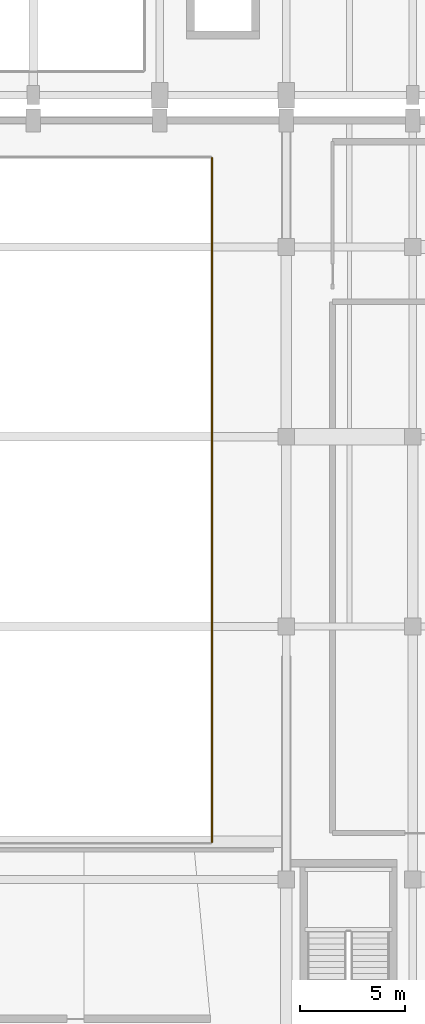
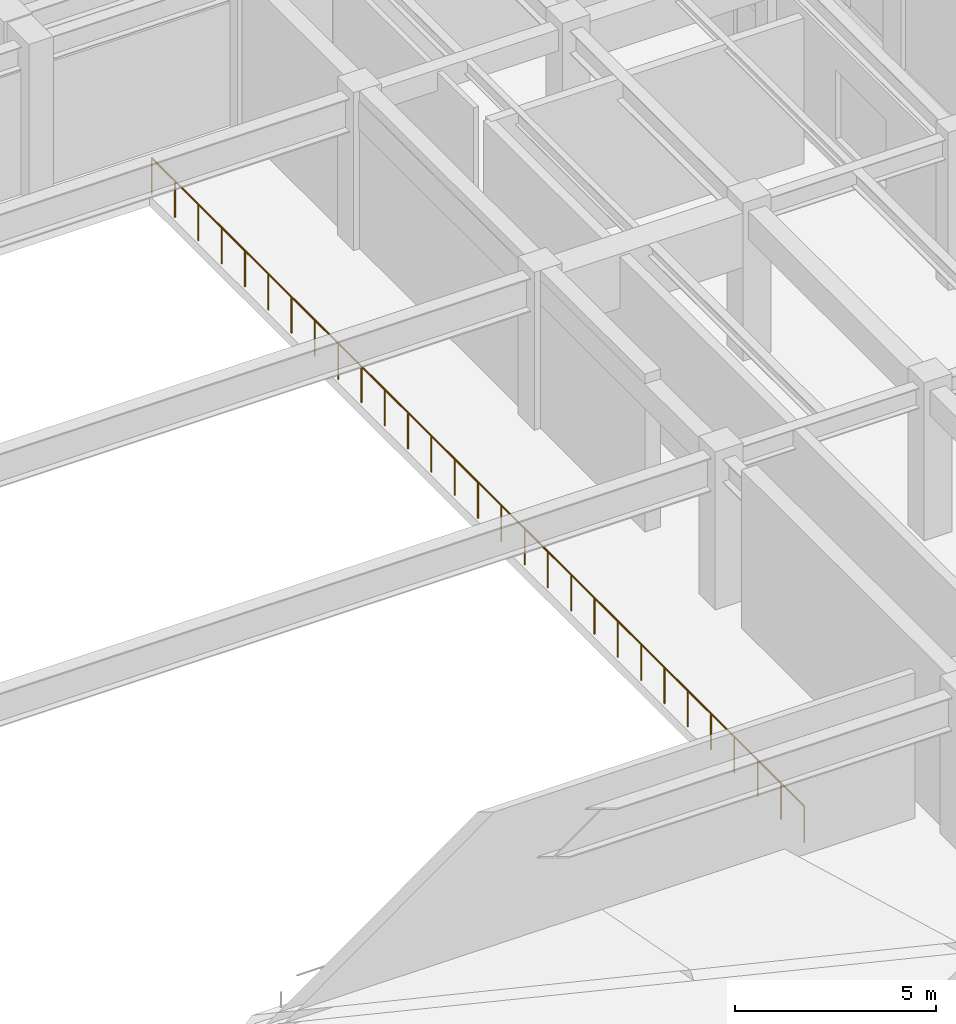
# One storey, part 91 of 96: 1 railing.
"""IFC4 building model written with IfcOpenShell, lengths in metres."""

from ifc_helpers import new_model, si_unit, direction, frame, origin, origin_2d, place, context, subcontext, project, spatial, circle, extrude, material, type_object, element, save


model = new_model("IFC4")

# Units and contexts
model_context = context("Model", 3, precision=1e-05, world=origin(), true_north=direction((0.0, 1.0)))
body_context = subcontext(model_context, "Body", "Model", "MODEL_VIEW")
ifc_project = project(units=[si_unit("LENGTHUNIT", "METRE"), si_unit("AREAUNIT", "SQUARE_METRE"), si_unit("VOLUMEUNIT", "CUBIC_METRE"), si_unit("PLANEANGLEUNIT", "RADIAN"), si_unit("MASSUNIT", "GRAM", prefix="KILO")], contexts=[model_context])

# Site, building, storey
site_placement = place(None, origin())
site = spatial("IfcSite", under=ifc_project, at=site_placement, CompositionType="ELEMENT")
building_placement = place(site_placement, origin())
building = spatial("IfcBuilding", under=site, at=building_placement, Name="Vaelkrest Opera House", CompositionType="ELEMENT")
storey_placement = place(building_placement, frame((0.0, 0.0, 5.39990234375)))
storey = spatial("IfcBuildingStorey", under=building, at=storey_placement, Name="L01", CompositionType="ELEMENT", Elevation=5.39990234375)

# Railing
ifc_material = material(Name="Dark bronze anodized aluminium", Category="aluminium")
railing_type = type_object("IfcRailingType", Name="BL01", PredefinedType="BALUSTRADE", material=ifc_material)
railing_placement = place(storey_placement, frame((14.47998046875, -18.0400390625, 0.0)))
element("IfcRailing", 1, at=railing_placement, inside=storey, type_object=railing_type, Name="Atrium/stage void guard V1 L01-1 seg 2", PredefinedType="BALUSTRADE", context=body_context, shape_type="SweptSolid", body=[
    extrude(circle(Radius=0.02392578125, at=origin_2d()), frame((0.0, 0.0, 1.09619140625), z_axis=(0.0, 1.0, 0.0), x_axis=(-1.0, 0.0, 0.0)), (0.0, 0.0, 1.0), 32.47998046875),
    extrude(circle(Radius=0.02099609375, at=origin_2d()), origin(), (0.0, 0.0, 1.0), 1.072021484375),
    extrude(circle(Radius=0.02099609375, at=origin_2d()), frame((0.0, 1.159912109375, 0.0)), (0.0, 0.0, 1.0), 1.072021484375),
    extrude(circle(Radius=0.02099609375, at=origin_2d()), frame((0.0, 2.320068359375, 0.0)), (0.0, 0.0, 1.0), 1.072021484375),
    extrude(circle(Radius=0.02099609375, at=origin_2d()), frame((0.0, 3.47998046875, 0.0)), (0.0, 0.0, 1.0), 1.072021484375),
    extrude(circle(Radius=0.02099609375, at=origin_2d()), frame((0.0, 4.639892578125, 0.0)), (0.0, 0.0, 1.0), 1.072021484375),
    extrude(circle(Radius=0.02099609375, at=origin_2d()), frame((0.0, 5.800048828125, 0.0)), (0.0, 0.0, 1.0), 1.072021484375),
    extrude(circle(Radius=0.02099609375, at=origin_2d()), frame((0.0, 6.9599609375, 0.0)), (0.0, 0.0, 1.0), 1.072021484375),
    extrude(circle(Radius=0.02099609375, at=origin_2d()), frame((0.0, 8.1201171875, 0.0)), (0.0, 0.0, 1.0), 1.072021484375),
    extrude(circle(Radius=0.02099609375, at=origin_2d()), frame((0.0, 9.280029296875, 0.0)), (0.0, 0.0, 1.0), 1.072021484375),
    extrude(circle(Radius=0.02099609375, at=origin_2d()), frame((0.0, 10.43994140625, 0.0)), (0.0, 0.0, 1.0), 1.072021484375),
    extrude(circle(Radius=0.02099609375, at=origin_2d()), frame((0.0, 11.60009765625, 0.0)), (0.0, 0.0, 1.0), 1.072021484375),
    extrude(circle(Radius=0.02099609375, at=origin_2d()), frame((0.0, 12.760009765625, 0.0)), (0.0, 0.0, 1.0), 1.072021484375),
    extrude(circle(Radius=0.02099609375, at=origin_2d()), frame((0.0, 13.919921875, 0.0)), (0.0, 0.0, 1.0), 1.072021484375),
    extrude(circle(Radius=0.02099609375, at=origin_2d()), frame((0.0, 15.080078125, 0.0)), (0.0, 0.0, 1.0), 1.072021484375),
    extrude(circle(Radius=0.02099609375, at=origin_2d()), frame((0.0, 16.239990234375, 0.0)), (0.0, 0.0, 1.0), 1.072021484375),
    extrude(circle(Radius=0.02099609375, at=origin_2d()), frame((0.0, 17.39990234375, 0.0)), (0.0, 0.0, 1.0), 1.072021484375),
    extrude(circle(Radius=0.02099609375, at=origin_2d()), frame((0.0, 18.56005859375, 0.0)), (0.0, 0.0, 1.0), 1.072021484375),
    extrude(circle(Radius=0.02099609375, at=origin_2d()), frame((0.0, 19.719970703125, 0.0)), (0.0, 0.0, 1.0), 1.072021484375),
    extrude(circle(Radius=0.02099609375, at=origin_2d()), frame((0.0, 20.8798828125, 0.0)), (0.0, 0.0, 1.0), 1.072021484375),
    extrude(circle(Radius=0.02099609375, at=origin_2d()), frame((0.0, 22.0400390625, 0.0)), (0.0, 0.0, 1.0), 1.072021484375),
    extrude(circle(Radius=0.02099609375, at=origin_2d()), frame((0.0, 23.199951171875, 0.0)), (0.0, 0.0, 1.0), 1.072021484375),
    extrude(circle(Radius=0.02099609375, at=origin_2d()), frame((0.0, 24.35986328125, 0.0)), (0.0, 0.0, 1.0), 1.072021484375),
    extrude(circle(Radius=0.02099609375, at=origin_2d()), frame((0.0, 25.52001953125, 0.0)), (0.0, 0.0, 1.0), 1.072021484375),
    extrude(circle(Radius=0.02099609375, at=origin_2d()), frame((0.0, 26.679931640625, 0.0)), (0.0, 0.0, 1.0), 1.072021484375),
    extrude(circle(Radius=0.02099609375, at=origin_2d()), frame((0.0, 27.840087890625, 0.0)), (0.0, 0.0, 1.0), 1.072021484375),
    extrude(circle(Radius=0.02099609375, at=origin_2d()), frame((0.0, 29.0, 0.0)), (0.0, 0.0, 1.0), 1.072021484375),
    extrude(circle(Radius=0.02099609375, at=origin_2d()), frame((0.0, 30.159912109375, 0.0)), (0.0, 0.0, 1.0), 1.072021484375),
    extrude(circle(Radius=0.02099609375, at=origin_2d()), frame((0.0, 31.320068359375, 0.0)), (0.0, 0.0, 1.0), 1.072021484375),
    extrude(circle(Radius=0.02099609375, at=origin_2d()), frame((0.0, 32.47998046875, 0.0)), (0.0, 0.0, 1.0), 1.072021484375),
])

save(model, "model.ifc")
